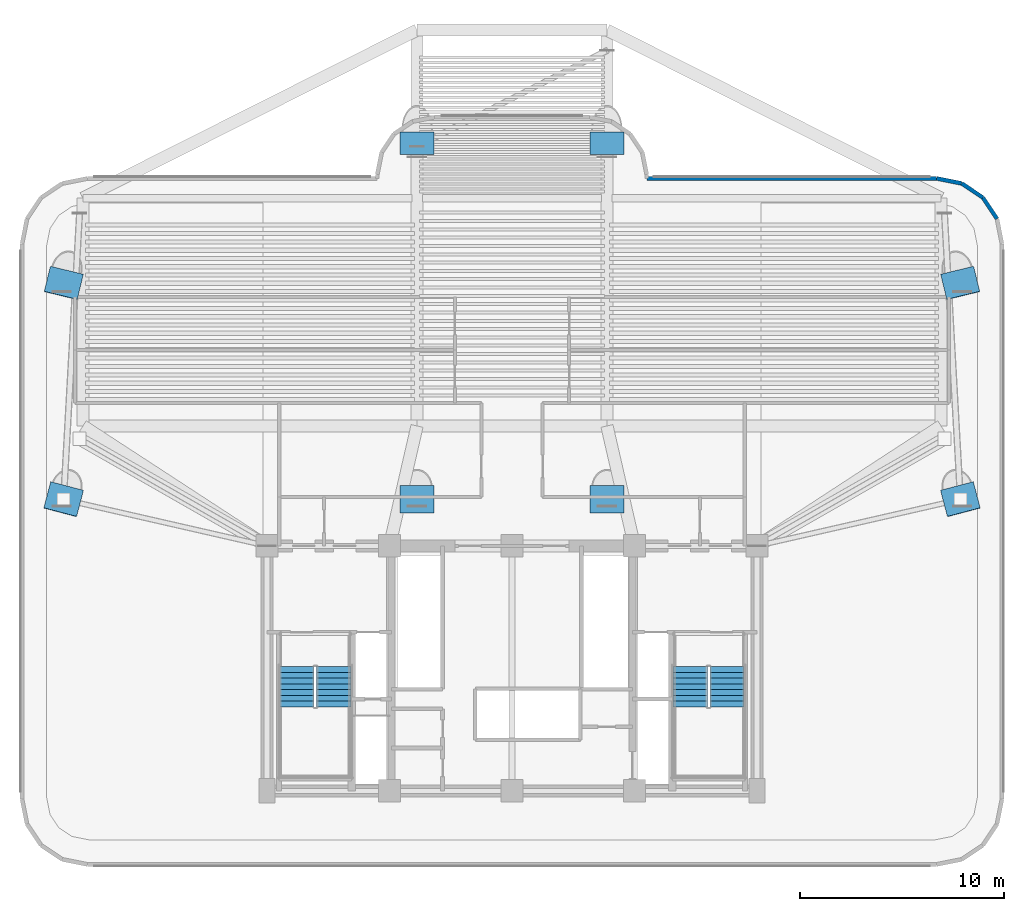
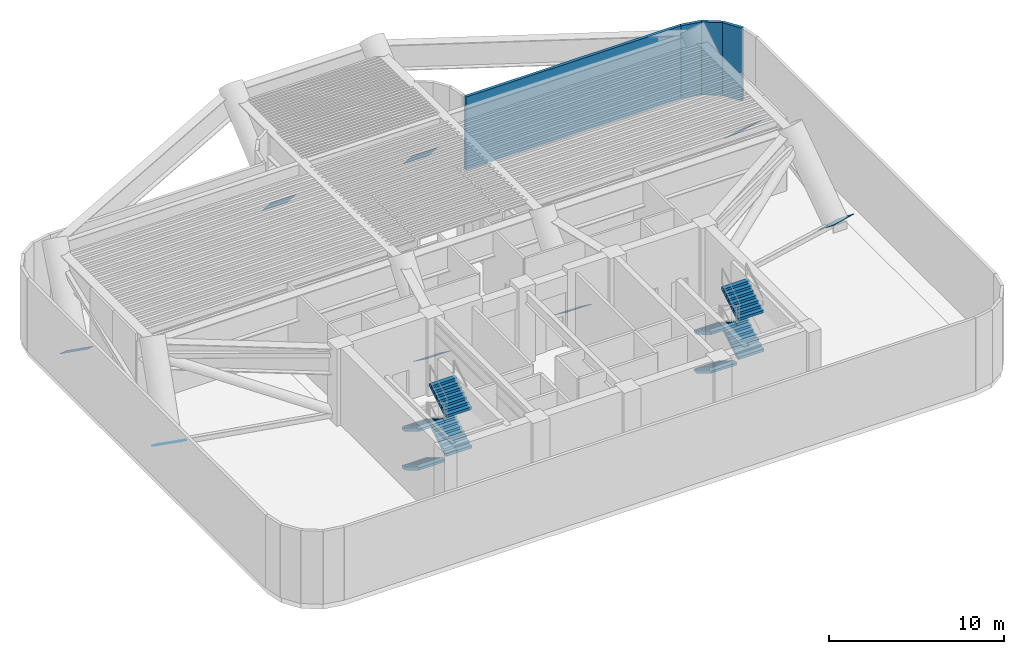
# One storey, part 7 of 11: 8 discrete accessories, 8 stair flights, 4 walls, 2 elements without a shape of their own.
"""IFC4 building model written with IfcOpenShell, lengths in metres."""

from ifc_helpers import new_model, si_unit, direction, frame, frame_2d, origin, origin_2d, place, context, subcontext, project, spatial, polyline, rectangle, outline, extrude, source, transform, mapped, material, layer, layer_set, material_profile, profile_set, type_object, element, aggregate, save


model = new_model("IFC4")

# Units and contexts
model_context = context("Model", 3, precision=1e-05, world=origin(), true_north=direction((0.0, 1.0)))
body_context = subcontext(model_context, "Body", "Model", "MODEL_VIEW")
ifc_project = project(units=[si_unit("LENGTHUNIT", "METRE"), si_unit("AREAUNIT", "SQUARE_METRE"), si_unit("VOLUMEUNIT", "CUBIC_METRE"), si_unit("PLANEANGLEUNIT", "RADIAN"), si_unit("MASSUNIT", "GRAM", prefix="KILO")], contexts=[model_context])

# Site, building, storey
site_placement = place(None, origin())
site = spatial("IfcSite", under=ifc_project, at=site_placement, CompositionType="ELEMENT")
building_placement = place(site_placement, origin())
building = spatial("IfcBuilding", under=site, at=building_placement, Name="Brelvock Crest Care Tower", CompositionType="ELEMENT")
storey_placement = place(building_placement, frame((0.0, 0.0, 79.919921875)))
storey = spatial("IfcBuildingStorey", under=building, at=storey_placement, Name="L20", CompositionType="ELEMENT", Elevation=79.919921875)

# Walls
ifc_material_1 = material(Name="Precast concrete N40 (40 MPa)", Category="concrete")
ifc_layer = layer(ifc_material_1, 0.195068359375, Name="WL-EX3")
ifc_layer_set = layer_set([ifc_layer], Name="Precast concrete N40 (40 MPa)")
wall_type = type_object("IfcWallType", Name="WL-EX3", PredefinedType="SOLIDWALL", material=ifc_layer_set)
for number, where, z_axis, x_axis, name in (
    (1, (58.024658203125, 35.75634765625, 0.0), (0.0, 0.0, 1.0), (0.831478245117, -0.555557312883, 0.0), "L20 Crown and Plant Cladding Wall 00"),
    (2, (59.062744140625, 35.062744140625, 0.0), (0.0, 0.0, 1.0), (0.555557312883, -0.831478245117, 0.0), "L20 Crown and Plant Cladding Wall 01"),
):
    element("IfcWall", number, at=place(storey_placement, frame(where, z_axis=z_axis, x_axis=x_axis)), inside=storey, type_object=wall_type, Name=name, PredefinedType="SOLIDWALL", context=body_context, shape_type="SweptSolid", body=[
        extrude(rectangle(XDim=1.24853515625, YDim=0.195068359375, at=frame_2d((0.624267578125, 0.0))), origin(), (0.0, 0.0, 1.0), 5.080078125),
    ])
wall_1_placement = place(storey_placement, frame((42.60009765625, 36.0, 0.0), z_axis=(0.0, 0.0, 1.0), x_axis=(1.0, 0.0, 0.0)))
element("IfcWall", 3, at=wall_1_placement, inside=storey, type_object=wall_type, Name="L20 Crown and Plant Cladding Wall 30", PredefinedType="SOLIDWALL", context=body_context, shape_type="SweptSolid", body=[
    extrude(rectangle(XDim=14.199951171875, YDim=0.195068359375, at=frame_2d((7.10009765625, 0.0))), origin(), (0.0, 0.0, 1.0), 5.080078125),
])
wall_2_placement = place(storey_placement, frame((56.800048828125, 36.0, 0.0), z_axis=(0.0, 0.0, 1.0), x_axis=(0.980775717779, -0.195138390419, 0.0)))
element("IfcWall", 4, at=wall_2_placement, inside=storey, type_object=wall_type, Name="L20 Crown and Plant Cladding Wall 31", PredefinedType="SOLIDWALL", context=body_context, shape_type="SweptSolid", body=[
    extrude(rectangle(XDim=1.24853515625, YDim=0.195068359375, at=frame_2d((0.624267578125, 0.0))), origin(), (0.0, 0.0, 1.0), 5.080078125),
])

# Stair, stair flights
ifc_material_2 = material(Name="Concrete N40 (40 MPa)", Category="concrete")
stair_type = type_object("IfcStairType", Name="ST-CORE1", PredefinedType="HALF_TURN_STAIR", material=ifc_material_2)
stair_1_placement = place(storey_placement, origin())
stair_1 = element("IfcStair", 5, at=stair_1_placement, inside=storey, type_object=stair_type, Name="L20 Fire-Isolated Core Stair ST-1", PredefinedType="HALF_TURN_STAIR")
stair_flight_type = type_object("IfcStairFlightType", Name="STF-1", PredefinedType="STRAIGHT", material=ifc_material_2)
stair_flight_1_placement = place(storey_placement, frame((25.469970703125, 12.080078125, 0.0), z_axis=(0.0, 0.0, 1.0), x_axis=(0.0, -1.0, 0.0)))
stair_flight_1 = element("IfcStairFlight", 6, at=stair_flight_1_placement, type_object=stair_flight_type, Name="ST-1 flight 1", NumberOfRisers=8, NumberOfTreads=7, PredefinedType="STRAIGHT", RiserHeight=0.16875, TreadLength=0.28, context=body_context, shape_type="SweptSolid", body=[
    extrude(outline(polyline([(-0.00390625, -0.014892578125), (-0.00390625, -0.008544921875), (-0.00390625, -0.001953125), (-0.00390625, 0.004638671875), (-0.00390625, 0.01123046875), (-0.00390625, 0.017822265625), (-0.00390625, 0.0244140625), (-0.00390625, 0.031005859375), (-0.00390625, 0.03759765625), (-0.00390625, 0.0439453125), (-0.00390625, 0.050537109375), (-0.00390625, 0.05712890625), (-0.00390625, 0.063720703125), (-0.00390625, 0.0703125), (-0.00390625, 0.076904296875), (-0.00390625, 0.08349609375), (-0.00390625, 0.090087890625), (-0.00390625, 0.0966796875), (-0.00390625, 0.10302734375), (-0.00390625, 0.109619140625), (-0.00390625, 0.1162109375), (-0.00390625, 0.122802734375), (-0.00390625, 0.12939453125), (-0.00390625, 0.135986328125), (-0.00390625, 0.142578125), (-0.00390625, 0.149169921875), (-0.00390625, 0.155517578125), (-0.00390625, 0.162109375), (-0.00390625, 0.168701171875), (0.0, 0.168701171875), (0.280029296875, 0.168701171875), (0.280029296875, 0.33740234375), (0.56005859375, 0.33740234375), (0.56005859375, 0.50634765625), (0.840087890625, 0.50634765625), (0.840087890625, 0.675048828125), (1.1201171875, 0.675048828125), (1.1201171875, 0.84375), (1.39990234375, 0.84375), (1.39990234375, 1.012451171875), (1.679931640625, 1.012451171875), (1.679931640625, 1.18115234375), (1.9599609375, 1.18115234375), (1.964111328125, 1.18115234375), (1.9638671875, 1.18017578125), (1.964111328125, 1.17919921875), (1.9638671875, 1.17822265625), (1.964111328125, 1.177001953125), (1.9638671875, 1.176025390625), (1.964111328125, 1.175048828125), (1.9638671875, 1.173828125), (1.964111328125, 1.1728515625), (1.9638671875, 1.171875), (1.964111328125, 1.1708984375), (1.9638671875, 1.169677734375), (1.964111328125, 1.168701171875), (1.9638671875, 1.167724609375), (1.964111328125, 1.166748046875), (1.9638671875, 1.16552734375), (1.964111328125, 1.16455078125), (1.9638671875, 1.16357421875), (1.964111328125, 1.162353515625), (1.9638671875, 1.161376953125), (1.964111328125, 1.160400390625), (1.9638671875, 1.159423828125), (1.964111328125, 1.158203125), (1.9638671875, 1.1572265625), (1.964111328125, 1.15625), (1.9638671875, 1.155029296875), (1.964111328125, 1.154052734375), (1.9638671875, 1.153076171875), (1.964111328125, 1.152099609375), (1.9599609375, 1.00634765625), (0.29052734375, 0.0), (0.0, 0.0), (0.0, -0.014892578125), (-0.00390625, -0.014892578125)])), frame((0.0, 0.83984375, 0.0), z_axis=(0.0, -1.0, 0.0), x_axis=(1.0, 0.0, 0.0)), (0.0, 0.0, 1.0), 1.679931640625),
])
stair_flight_2_placement = place(storey_placement, frame((27.27001953125, 10.1201171875, 1.35009765625), z_axis=(0.0, 0.0, 1.0), x_axis=(0.0, 1.0, 0.0)))
stair_flight_2 = element("IfcStairFlight", 7, at=stair_flight_2_placement, type_object=stair_flight_type, Name="ST-1 flight 2", NumberOfRisers=8, NumberOfTreads=7, PredefinedType="STRAIGHT", RiserHeight=0.16875, TreadLength=0.28, context=body_context, shape_type="SweptSolid", body=[
    extrude(outline(polyline([(-0.00390625, -0.014892578125), (-0.00390625, -0.008544921875), (-0.00390625, -0.001953125), (-0.00390625, 0.004638671875), (-0.00390625, 0.01123046875), (-0.00390625, 0.017822265625), (-0.00390625, 0.0244140625), (-0.00390625, 0.031005859375), (-0.00390625, 0.03759765625), (-0.00390625, 0.0439453125), (-0.00390625, 0.050537109375), (-0.00390625, 0.05712890625), (-0.00390625, 0.063720703125), (-0.00390625, 0.0703125), (-0.00390625, 0.076904296875), (-0.00390625, 0.08349609375), (-0.00390625, 0.090087890625), (-0.00390625, 0.0966796875), (-0.00390625, 0.10302734375), (-0.00390625, 0.109619140625), (-0.00390625, 0.1162109375), (-0.00390625, 0.122802734375), (-0.00390625, 0.12939453125), (-0.00390625, 0.135986328125), (-0.00390625, 0.142578125), (-0.00390625, 0.149169921875), (-0.00390625, 0.155517578125), (-0.00390625, 0.162109375), (-0.00390625, 0.168701171875), (0.0, 0.168701171875), (0.280029296875, 0.168701171875), (0.280029296875, 0.33740234375), (0.56005859375, 0.33740234375), (0.56005859375, 0.50634765625), (0.840087890625, 0.50634765625), (0.840087890625, 0.675048828125), (1.1201171875, 0.675048828125), (1.1201171875, 0.84375), (1.39990234375, 0.84375), (1.39990234375, 1.012451171875), (1.679931640625, 1.012451171875), (1.679931640625, 1.18115234375), (1.9599609375, 1.18115234375), (1.964111328125, 1.18115234375), (1.9638671875, 1.18017578125), (1.964111328125, 1.17919921875), (1.9638671875, 1.17822265625), (1.964111328125, 1.177001953125), (1.9638671875, 1.176025390625), (1.964111328125, 1.175048828125), (1.9638671875, 1.173828125), (1.964111328125, 1.1728515625), (1.9638671875, 1.171875), (1.964111328125, 1.1708984375), (1.9638671875, 1.169677734375), (1.964111328125, 1.168701171875), (1.9638671875, 1.167724609375), (1.964111328125, 1.166748046875), (1.9638671875, 1.16552734375), (1.964111328125, 1.16455078125), (1.9638671875, 1.16357421875), (1.964111328125, 1.162353515625), (1.9638671875, 1.161376953125), (1.964111328125, 1.160400390625), (1.9638671875, 1.159423828125), (1.964111328125, 1.158203125), (1.9638671875, 1.1572265625), (1.964111328125, 1.15625), (1.9638671875, 1.155029296875), (1.964111328125, 1.154052734375), (1.9638671875, 1.153076171875), (1.964111328125, 1.152099609375), (1.9599609375, 1.00634765625), (0.29052734375, 0.0), (0.0, 0.0), (0.0, -0.014892578125), (-0.00390625, -0.014892578125)])), frame((0.0, 0.83984375, 0.0), z_axis=(0.0, -1.0, 0.0), x_axis=(1.0, 0.0, 0.0)), (0.0, 0.0, 1.0), 1.679931640625),
])
stair_flight_3_placement = place(storey_placement, frame((25.469970703125, 12.080078125, 2.7001953125), z_axis=(0.0, 0.0, 1.0), x_axis=(0.0, -1.0, 0.0)))
stair_flight_3 = element("IfcStairFlight", 8, at=stair_flight_3_placement, type_object=stair_flight_type, Name="ST-1 flight 3", NumberOfRisers=8, NumberOfTreads=7, PredefinedType="STRAIGHT", RiserHeight=0.16875, TreadLength=0.28, context=body_context, shape_type="SweptSolid", body=[
    extrude(outline(polyline([(-0.00390625, -0.014892578125), (-0.00390625, -0.008544921875), (-0.00390625, -0.001953125), (-0.00390625, 0.004638671875), (-0.00390625, 0.01123046875), (-0.00390625, 0.017822265625), (-0.00390625, 0.0244140625), (-0.00390625, 0.031005859375), (-0.00390625, 0.03759765625), (-0.00390625, 0.0439453125), (-0.00390625, 0.050537109375), (-0.00390625, 0.05712890625), (-0.00390625, 0.063720703125), (-0.00390625, 0.0703125), (-0.00390625, 0.076904296875), (-0.00390625, 0.08349609375), (-0.00390625, 0.090087890625), (-0.00390625, 0.0966796875), (-0.00390625, 0.10302734375), (-0.00390625, 0.109619140625), (-0.00390625, 0.1162109375), (-0.00390625, 0.122802734375), (-0.00390625, 0.12939453125), (-0.00390625, 0.135986328125), (-0.00390625, 0.142578125), (-0.00390625, 0.149169921875), (-0.00390625, 0.155517578125), (-0.00390625, 0.162109375), (-0.00390625, 0.168701171875), (0.0, 0.168701171875), (0.280029296875, 0.168701171875), (0.280029296875, 0.33740234375), (0.56005859375, 0.33740234375), (0.56005859375, 0.50634765625), (0.840087890625, 0.50634765625), (0.840087890625, 0.675048828125), (1.1201171875, 0.675048828125), (1.1201171875, 0.84375), (1.39990234375, 0.84375), (1.39990234375, 1.012451171875), (1.679931640625, 1.012451171875), (1.679931640625, 1.18115234375), (1.9599609375, 1.18115234375), (1.964111328125, 1.18115234375), (1.9638671875, 1.18017578125), (1.964111328125, 1.17919921875), (1.9638671875, 1.17822265625), (1.964111328125, 1.177001953125), (1.9638671875, 1.176025390625), (1.964111328125, 1.175048828125), (1.9638671875, 1.173828125), (1.964111328125, 1.1728515625), (1.9638671875, 1.171875), (1.964111328125, 1.1708984375), (1.9638671875, 1.169677734375), (1.964111328125, 1.168701171875), (1.9638671875, 1.167724609375), (1.964111328125, 1.166748046875), (1.9638671875, 1.16552734375), (1.964111328125, 1.16455078125), (1.9638671875, 1.16357421875), (1.964111328125, 1.162353515625), (1.9638671875, 1.161376953125), (1.964111328125, 1.160400390625), (1.9638671875, 1.159423828125), (1.964111328125, 1.158203125), (1.9638671875, 1.1572265625), (1.964111328125, 1.15625), (1.9638671875, 1.155029296875), (1.964111328125, 1.154052734375), (1.9638671875, 1.153076171875), (1.964111328125, 1.152099609375), (1.9599609375, 1.00634765625), (0.29052734375, 0.0), (0.0, 0.0), (0.0, -0.014892578125), (-0.00390625, -0.014892578125)])), frame((0.0, 0.83984375, 0.0), z_axis=(0.0, -1.0, 0.0), x_axis=(1.0, 0.0, 0.0)), (0.0, 0.0, 1.0), 1.679931640625),
])
stair_flight_4_placement = place(storey_placement, frame((27.27001953125, 10.1201171875, 4.050048828125), z_axis=(0.0, 0.0, 1.0), x_axis=(0.0, 1.0, 0.0)))
stair_flight_4 = element("IfcStairFlight", 9, at=stair_flight_4_placement, type_object=stair_flight_type, Name="ST-1 flight 4", NumberOfRisers=8, NumberOfTreads=7, PredefinedType="STRAIGHT", RiserHeight=0.16875, TreadLength=0.28, context=body_context, shape_type="SweptSolid", body=[
    extrude(outline(polyline([(-0.00390625, -0.014892578125), (-0.00390625, -0.008544921875), (-0.00390625, -0.001953125), (-0.00390625, 0.004638671875), (-0.00390625, 0.01123046875), (-0.00390625, 0.017822265625), (-0.00390625, 0.0244140625), (-0.00390625, 0.031005859375), (-0.00390625, 0.03759765625), (-0.00390625, 0.0439453125), (-0.00390625, 0.050537109375), (-0.00390625, 0.05712890625), (-0.00390625, 0.063720703125), (-0.00390625, 0.0703125), (-0.00390625, 0.076904296875), (-0.00390625, 0.08349609375), (-0.00390625, 0.090087890625), (-0.00390625, 0.0966796875), (-0.00390625, 0.10302734375), (-0.00390625, 0.109619140625), (-0.00390625, 0.1162109375), (-0.00390625, 0.122802734375), (-0.00390625, 0.12939453125), (-0.00390625, 0.135986328125), (-0.00390625, 0.142578125), (-0.00390625, 0.149169921875), (-0.00390625, 0.155517578125), (-0.00390625, 0.162109375), (-0.00390625, 0.168701171875), (0.0, 0.168701171875), (0.280029296875, 0.168701171875), (0.280029296875, 0.33740234375), (0.56005859375, 0.33740234375), (0.56005859375, 0.50634765625), (0.840087890625, 0.50634765625), (0.840087890625, 0.675048828125), (1.1201171875, 0.675048828125), (1.1201171875, 0.84375), (1.39990234375, 0.84375), (1.39990234375, 1.012451171875), (1.679931640625, 1.012451171875), (1.679931640625, 1.18115234375), (1.9599609375, 1.18115234375), (1.964111328125, 1.18115234375), (1.9638671875, 1.18017578125), (1.964111328125, 1.17919921875), (1.9638671875, 1.17822265625), (1.964111328125, 1.177001953125), (1.9638671875, 1.176025390625), (1.964111328125, 1.175048828125), (1.9638671875, 1.173828125), (1.964111328125, 1.1728515625), (1.9638671875, 1.171875), (1.964111328125, 1.1708984375), (1.9638671875, 1.169677734375), (1.964111328125, 1.168701171875), (1.9638671875, 1.167724609375), (1.964111328125, 1.166748046875), (1.9638671875, 1.16552734375), (1.964111328125, 1.16455078125), (1.9638671875, 1.16357421875), (1.964111328125, 1.162353515625), (1.9638671875, 1.161376953125), (1.964111328125, 1.160400390625), (1.9638671875, 1.159423828125), (1.964111328125, 1.158203125), (1.9638671875, 1.1572265625), (1.964111328125, 1.15625), (1.9638671875, 1.155029296875), (1.964111328125, 1.154052734375), (1.9638671875, 1.153076171875), (1.964111328125, 1.152099609375), (1.9599609375, 1.00634765625), (0.29052734375, 0.0), (0.0, 0.0), (0.0, -0.014892578125), (-0.00390625, -0.014892578125)])), frame((0.0, 0.83984375, 0.0), z_axis=(0.0, -1.0, 0.0), x_axis=(1.0, 0.0, 0.0)), (0.0, 0.0, 1.0), 1.679931640625),
])
aggregate(stair_1, [stair_flight_1, stair_flight_2, stair_flight_3, stair_flight_4])

stair_2_placement = place(storey_placement, origin())
stair_2 = element("IfcStair", 10, at=stair_2_placement, inside=storey, type_object=stair_type, Name="L20 Fire-Isolated Core Stair ST-2", PredefinedType="HALF_TURN_STAIR")
stair_flight_5_placement = place(storey_placement, frame((44.72998046875, 12.080078125, 0.0), z_axis=(0.0, 0.0, 1.0), x_axis=(0.0, -1.0, 0.0)))
stair_flight_5 = element("IfcStairFlight", 11, at=stair_flight_5_placement, type_object=stair_flight_type, Name="ST-2 flight 1", NumberOfRisers=8, NumberOfTreads=7, PredefinedType="STRAIGHT", RiserHeight=0.16875, TreadLength=0.28, context=body_context, shape_type="SweptSolid", body=[
    extrude(outline(polyline([(-0.00390625, -0.014892578125), (-0.00390625, -0.008544921875), (-0.00390625, -0.001953125), (-0.00390625, 0.004638671875), (-0.00390625, 0.01123046875), (-0.00390625, 0.017822265625), (-0.00390625, 0.0244140625), (-0.00390625, 0.031005859375), (-0.00390625, 0.03759765625), (-0.00390625, 0.0439453125), (-0.00390625, 0.050537109375), (-0.00390625, 0.05712890625), (-0.00390625, 0.063720703125), (-0.00390625, 0.0703125), (-0.00390625, 0.076904296875), (-0.00390625, 0.08349609375), (-0.00390625, 0.090087890625), (-0.00390625, 0.0966796875), (-0.00390625, 0.10302734375), (-0.00390625, 0.109619140625), (-0.00390625, 0.1162109375), (-0.00390625, 0.122802734375), (-0.00390625, 0.12939453125), (-0.00390625, 0.135986328125), (-0.00390625, 0.142578125), (-0.00390625, 0.149169921875), (-0.00390625, 0.155517578125), (-0.00390625, 0.162109375), (-0.00390625, 0.168701171875), (0.0, 0.168701171875), (0.280029296875, 0.168701171875), (0.280029296875, 0.33740234375), (0.56005859375, 0.33740234375), (0.56005859375, 0.50634765625), (0.840087890625, 0.50634765625), (0.840087890625, 0.675048828125), (1.1201171875, 0.675048828125), (1.1201171875, 0.84375), (1.39990234375, 0.84375), (1.39990234375, 1.012451171875), (1.679931640625, 1.012451171875), (1.679931640625, 1.18115234375), (1.9599609375, 1.18115234375), (1.964111328125, 1.18115234375), (1.9638671875, 1.18017578125), (1.964111328125, 1.17919921875), (1.9638671875, 1.17822265625), (1.964111328125, 1.177001953125), (1.9638671875, 1.176025390625), (1.964111328125, 1.175048828125), (1.9638671875, 1.173828125), (1.964111328125, 1.1728515625), (1.9638671875, 1.171875), (1.964111328125, 1.1708984375), (1.9638671875, 1.169677734375), (1.964111328125, 1.168701171875), (1.9638671875, 1.167724609375), (1.964111328125, 1.166748046875), (1.9638671875, 1.16552734375), (1.964111328125, 1.16455078125), (1.9638671875, 1.16357421875), (1.964111328125, 1.162353515625), (1.9638671875, 1.161376953125), (1.964111328125, 1.160400390625), (1.9638671875, 1.159423828125), (1.964111328125, 1.158203125), (1.9638671875, 1.1572265625), (1.964111328125, 1.15625), (1.9638671875, 1.155029296875), (1.964111328125, 1.154052734375), (1.9638671875, 1.153076171875), (1.964111328125, 1.152099609375), (1.9599609375, 1.00634765625), (0.29052734375, 0.0), (0.0, 0.0), (0.0, -0.014892578125), (-0.00390625, -0.014892578125)])), frame((0.0, 0.83984375, 0.0), z_axis=(0.0, -1.0, 0.0), x_axis=(1.0, 0.0, 0.0)), (0.0, 0.0, 1.0), 1.679931640625),
])
stair_flight_6_placement = place(storey_placement, frame((46.530029296875, 10.1201171875, 1.35009765625), z_axis=(0.0, 0.0, 1.0), x_axis=(0.0, 1.0, 0.0)))
stair_flight_6 = element("IfcStairFlight", 12, at=stair_flight_6_placement, type_object=stair_flight_type, Name="ST-2 flight 2", NumberOfRisers=8, NumberOfTreads=7, PredefinedType="STRAIGHT", RiserHeight=0.16875, TreadLength=0.28, context=body_context, shape_type="SweptSolid", body=[
    extrude(outline(polyline([(-0.00390625, -0.014892578125), (-0.00390625, -0.008544921875), (-0.00390625, -0.001953125), (-0.00390625, 0.004638671875), (-0.00390625, 0.01123046875), (-0.00390625, 0.017822265625), (-0.00390625, 0.0244140625), (-0.00390625, 0.031005859375), (-0.00390625, 0.03759765625), (-0.00390625, 0.0439453125), (-0.00390625, 0.050537109375), (-0.00390625, 0.05712890625), (-0.00390625, 0.063720703125), (-0.00390625, 0.0703125), (-0.00390625, 0.076904296875), (-0.00390625, 0.08349609375), (-0.00390625, 0.090087890625), (-0.00390625, 0.0966796875), (-0.00390625, 0.10302734375), (-0.00390625, 0.109619140625), (-0.00390625, 0.1162109375), (-0.00390625, 0.122802734375), (-0.00390625, 0.12939453125), (-0.00390625, 0.135986328125), (-0.00390625, 0.142578125), (-0.00390625, 0.149169921875), (-0.00390625, 0.155517578125), (-0.00390625, 0.162109375), (-0.00390625, 0.168701171875), (0.0, 0.168701171875), (0.280029296875, 0.168701171875), (0.280029296875, 0.33740234375), (0.56005859375, 0.33740234375), (0.56005859375, 0.50634765625), (0.840087890625, 0.50634765625), (0.840087890625, 0.675048828125), (1.1201171875, 0.675048828125), (1.1201171875, 0.84375), (1.39990234375, 0.84375), (1.39990234375, 1.012451171875), (1.679931640625, 1.012451171875), (1.679931640625, 1.18115234375), (1.9599609375, 1.18115234375), (1.964111328125, 1.18115234375), (1.9638671875, 1.18017578125), (1.964111328125, 1.17919921875), (1.9638671875, 1.17822265625), (1.964111328125, 1.177001953125), (1.9638671875, 1.176025390625), (1.964111328125, 1.175048828125), (1.9638671875, 1.173828125), (1.964111328125, 1.1728515625), (1.9638671875, 1.171875), (1.964111328125, 1.1708984375), (1.9638671875, 1.169677734375), (1.964111328125, 1.168701171875), (1.9638671875, 1.167724609375), (1.964111328125, 1.166748046875), (1.9638671875, 1.16552734375), (1.964111328125, 1.16455078125), (1.9638671875, 1.16357421875), (1.964111328125, 1.162353515625), (1.9638671875, 1.161376953125), (1.964111328125, 1.160400390625), (1.9638671875, 1.159423828125), (1.964111328125, 1.158203125), (1.9638671875, 1.1572265625), (1.964111328125, 1.15625), (1.9638671875, 1.155029296875), (1.964111328125, 1.154052734375), (1.9638671875, 1.153076171875), (1.964111328125, 1.152099609375), (1.9599609375, 1.00634765625), (0.29052734375, 0.0), (0.0, 0.0), (0.0, -0.014892578125), (-0.00390625, -0.014892578125)])), frame((0.0, 0.83984375, 0.0), z_axis=(0.0, -1.0, 0.0), x_axis=(1.0, 0.0, 0.0)), (0.0, 0.0, 1.0), 1.679931640625),
])
stair_flight_7_placement = place(storey_placement, frame((44.72998046875, 12.080078125, 2.7001953125), z_axis=(0.0, 0.0, 1.0), x_axis=(0.0, -1.0, 0.0)))
stair_flight_7 = element("IfcStairFlight", 13, at=stair_flight_7_placement, type_object=stair_flight_type, Name="ST-2 flight 3", NumberOfRisers=8, NumberOfTreads=7, PredefinedType="STRAIGHT", RiserHeight=0.16875, TreadLength=0.28, context=body_context, shape_type="SweptSolid", body=[
    extrude(outline(polyline([(-0.00390625, -0.014892578125), (-0.00390625, -0.008544921875), (-0.00390625, -0.001953125), (-0.00390625, 0.004638671875), (-0.00390625, 0.01123046875), (-0.00390625, 0.017822265625), (-0.00390625, 0.0244140625), (-0.00390625, 0.031005859375), (-0.00390625, 0.03759765625), (-0.00390625, 0.0439453125), (-0.00390625, 0.050537109375), (-0.00390625, 0.05712890625), (-0.00390625, 0.063720703125), (-0.00390625, 0.0703125), (-0.00390625, 0.076904296875), (-0.00390625, 0.08349609375), (-0.00390625, 0.090087890625), (-0.00390625, 0.0966796875), (-0.00390625, 0.10302734375), (-0.00390625, 0.109619140625), (-0.00390625, 0.1162109375), (-0.00390625, 0.122802734375), (-0.00390625, 0.12939453125), (-0.00390625, 0.135986328125), (-0.00390625, 0.142578125), (-0.00390625, 0.149169921875), (-0.00390625, 0.155517578125), (-0.00390625, 0.162109375), (-0.00390625, 0.168701171875), (0.0, 0.168701171875), (0.280029296875, 0.168701171875), (0.280029296875, 0.33740234375), (0.56005859375, 0.33740234375), (0.56005859375, 0.50634765625), (0.840087890625, 0.50634765625), (0.840087890625, 0.675048828125), (1.1201171875, 0.675048828125), (1.1201171875, 0.84375), (1.39990234375, 0.84375), (1.39990234375, 1.012451171875), (1.679931640625, 1.012451171875), (1.679931640625, 1.18115234375), (1.9599609375, 1.18115234375), (1.964111328125, 1.18115234375), (1.9638671875, 1.18017578125), (1.964111328125, 1.17919921875), (1.9638671875, 1.17822265625), (1.964111328125, 1.177001953125), (1.9638671875, 1.176025390625), (1.964111328125, 1.175048828125), (1.9638671875, 1.173828125), (1.964111328125, 1.1728515625), (1.9638671875, 1.171875), (1.964111328125, 1.1708984375), (1.9638671875, 1.169677734375), (1.964111328125, 1.168701171875), (1.9638671875, 1.167724609375), (1.964111328125, 1.166748046875), (1.9638671875, 1.16552734375), (1.964111328125, 1.16455078125), (1.9638671875, 1.16357421875), (1.964111328125, 1.162353515625), (1.9638671875, 1.161376953125), (1.964111328125, 1.160400390625), (1.9638671875, 1.159423828125), (1.964111328125, 1.158203125), (1.9638671875, 1.1572265625), (1.964111328125, 1.15625), (1.9638671875, 1.155029296875), (1.964111328125, 1.154052734375), (1.9638671875, 1.153076171875), (1.964111328125, 1.152099609375), (1.9599609375, 1.00634765625), (0.29052734375, 0.0), (0.0, 0.0), (0.0, -0.014892578125), (-0.00390625, -0.014892578125)])), frame((0.0, 0.83984375, 0.0), z_axis=(0.0, -1.0, 0.0), x_axis=(1.0, 0.0, 0.0)), (0.0, 0.0, 1.0), 1.679931640625),
])
stair_flight_8_placement = place(storey_placement, frame((46.530029296875, 10.1201171875, 4.050048828125), z_axis=(0.0, 0.0, 1.0), x_axis=(0.0, 1.0, 0.0)))
stair_flight_8 = element("IfcStairFlight", 14, at=stair_flight_8_placement, type_object=stair_flight_type, Name="ST-2 flight 4", NumberOfRisers=8, NumberOfTreads=7, PredefinedType="STRAIGHT", RiserHeight=0.16875, TreadLength=0.28, context=body_context, shape_type="SweptSolid", body=[
    extrude(outline(polyline([(-0.00390625, -0.014892578125), (-0.00390625, -0.008544921875), (-0.00390625, -0.001953125), (-0.00390625, 0.004638671875), (-0.00390625, 0.01123046875), (-0.00390625, 0.017822265625), (-0.00390625, 0.0244140625), (-0.00390625, 0.031005859375), (-0.00390625, 0.03759765625), (-0.00390625, 0.0439453125), (-0.00390625, 0.050537109375), (-0.00390625, 0.05712890625), (-0.00390625, 0.063720703125), (-0.00390625, 0.0703125), (-0.00390625, 0.076904296875), (-0.00390625, 0.08349609375), (-0.00390625, 0.090087890625), (-0.00390625, 0.0966796875), (-0.00390625, 0.10302734375), (-0.00390625, 0.109619140625), (-0.00390625, 0.1162109375), (-0.00390625, 0.122802734375), (-0.00390625, 0.12939453125), (-0.00390625, 0.135986328125), (-0.00390625, 0.142578125), (-0.00390625, 0.149169921875), (-0.00390625, 0.155517578125), (-0.00390625, 0.162109375), (-0.00390625, 0.168701171875), (0.0, 0.168701171875), (0.280029296875, 0.168701171875), (0.280029296875, 0.33740234375), (0.56005859375, 0.33740234375), (0.56005859375, 0.50634765625), (0.840087890625, 0.50634765625), (0.840087890625, 0.675048828125), (1.1201171875, 0.675048828125), (1.1201171875, 0.84375), (1.39990234375, 0.84375), (1.39990234375, 1.012451171875), (1.679931640625, 1.012451171875), (1.679931640625, 1.18115234375), (1.9599609375, 1.18115234375), (1.964111328125, 1.18115234375), (1.9638671875, 1.18017578125), (1.964111328125, 1.17919921875), (1.9638671875, 1.17822265625), (1.964111328125, 1.177001953125), (1.9638671875, 1.176025390625), (1.964111328125, 1.175048828125), (1.9638671875, 1.173828125), (1.964111328125, 1.1728515625), (1.9638671875, 1.171875), (1.964111328125, 1.1708984375), (1.9638671875, 1.169677734375), (1.964111328125, 1.168701171875), (1.9638671875, 1.167724609375), (1.964111328125, 1.166748046875), (1.9638671875, 1.16552734375), (1.964111328125, 1.16455078125), (1.9638671875, 1.16357421875), (1.964111328125, 1.162353515625), (1.9638671875, 1.161376953125), (1.964111328125, 1.160400390625), (1.9638671875, 1.159423828125), (1.964111328125, 1.158203125), (1.9638671875, 1.1572265625), (1.964111328125, 1.15625), (1.9638671875, 1.155029296875), (1.964111328125, 1.154052734375), (1.9638671875, 1.153076171875), (1.964111328125, 1.152099609375), (1.9599609375, 1.00634765625), (0.29052734375, 0.0), (0.0, 0.0), (0.0, -0.014892578125), (-0.00390625, -0.014892578125)])), frame((0.0, 0.83984375, 0.0), z_axis=(0.0, -1.0, 0.0), x_axis=(1.0, 0.0, 0.0)), (0.0, 0.0, 1.0), 1.679931640625),
])
aggregate(stair_2, [stair_flight_5, stair_flight_6, stair_flight_7, stair_flight_8])

# Discrete accessories
ifc_material_3 = material(Name="Steel Grade 350", Category="steel")
ifc_material_profile = material_profile(ifc_material_3, rectangle(XDim=1.659912109375, YDim=1.659912109375, at=origin_2d()), Name="ACC-CAP1")
ifc_profile_set = profile_set([ifc_material_profile], Name="Steel Grade 350")
discrete_accessory_type = type_object("IfcDiscreteAccessoryType", Name="ACC-CAP1", PredefinedType="BRACKET", material=ifc_profile_set)
shared_shape_1 = source(origin(), body_context, "Body", "SweptSolid", [
    extrude(rectangle(XDim=1.659912109375, YDim=1.659912109375, at=origin_2d()), origin(), (0.0, 0.0, 1.0), 0.02392578125),
])
for number, where, z_axis, x_axis, name in (
    (15, (14.037353515625, 20.28125, 0.45556640625), (0.153429102983, 0.583030591336, 0.797831335512), (-0.967074537263, 0.25449329928, 0.0), "L20 Mega-Column Base End Cap Shoe M1"),
    (16, (14.04541015625, 30.872314453125, 0.49755859375), (0.152349050322, 0.629709407996, 0.761745251608), (-0.971958774044, 0.235151316301, 0.0), "L20 Mega-Column Base End Cap Shoe M2"),
    (17, (57.962646484375, 20.28125, 0.45556640625), (-0.153429102983, 0.583030591336, 0.797831335512), (-0.967074537263, -0.25449329928, 0.0), "L20 Mega-Column Base End Cap Shoe M3"),
    (18, (57.95458984375, 30.872314453125, 0.49755859375), (-0.152349050322, 0.629709407996, 0.761745251608), (-0.971958774044, -0.235151316301, 0.0), "L20 Mega-Column Base End Cap Shoe M4"),
    (19, (31.35009765625, 37.71044921875, 0.573486328125), (0.0, 0.751317435494, 0.659940990637), (-1.0, 0.0, 0.0), "L20 Mega-Column Base End Cap Shoe M7"),
    (20, (40.64990234375, 37.71044921875, 0.573486328125), (0.0, 0.751317435494, 0.659940990637), (-1.0, 0.0, 0.0), "L20 Mega-Column Base End Cap Shoe M8"),
):
    element("IfcDiscreteAccessory", number, at=place(storey_placement, frame(where, z_axis=z_axis, x_axis=x_axis)), inside=storey, type_object=discrete_accessory_type, Name=name, PredefinedType="BRACKET", context=body_context, shape_type="MappedRepresentation", body=[
        mapped(shared_shape_1, transform((0.0, 0.0, 0.0), x_axis=(1.0, 0.0, 0.0), y_axis=(0.0, 1.0, 0.0), z_axis=(0.0, 0.0, 1.0), scale=1.0)),
    ])
shared_shape_2 = source(origin(), body_context, "Body", "SweptSolid", [
    extrude(rectangle(XDim=1.659912109375, YDim=1.659912109375, at=origin_2d()), origin(), (0.0, 0.0, 1.0), 0.024169921875),
])
for number, where, z_axis, x_axis, name in (
    (21, (31.35009765625, 20.27392578125, 0.445556640625), (0.0, 0.586967571461, 0.809610443394), (-1.0, 0.0, 0.0), "L20 Mega-Column Base End Cap Shoe M5"),
    (22, (40.64990234375, 20.27392578125, 0.445556640625), (0.0, 0.586967571461, 0.809610443394), (-1.0, 0.0, 0.0), "L20 Mega-Column Base End Cap Shoe M6"),
):
    element("IfcDiscreteAccessory", number, at=place(storey_placement, frame(where, z_axis=z_axis, x_axis=x_axis)), inside=storey, type_object=discrete_accessory_type, Name=name, PredefinedType="BRACKET", context=body_context, shape_type="MappedRepresentation", body=[
        mapped(shared_shape_2, transform((0.0, 0.0, 0.0), x_axis=(1.0, 0.0, 0.0), y_axis=(0.0, 1.0, 0.0), z_axis=(0.0, 0.0, 1.0), scale=1.0)),
    ])

save(model, "model.ifc")
